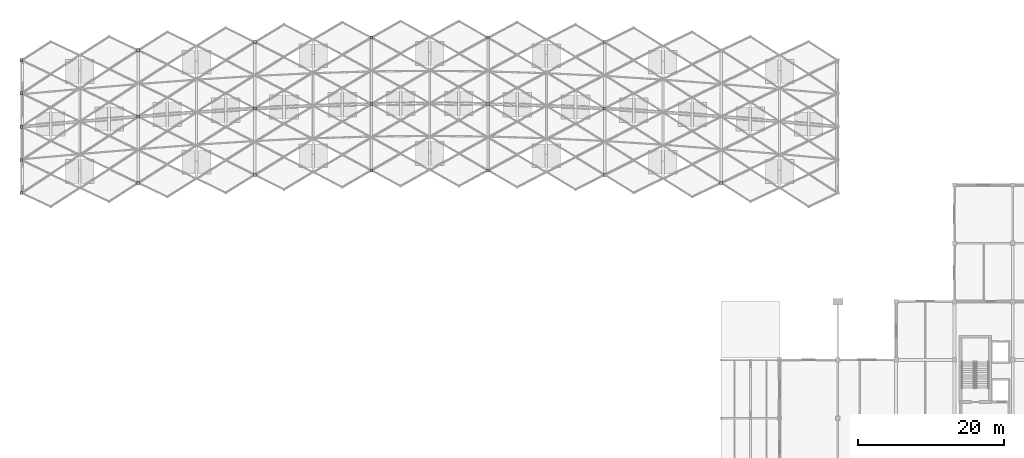
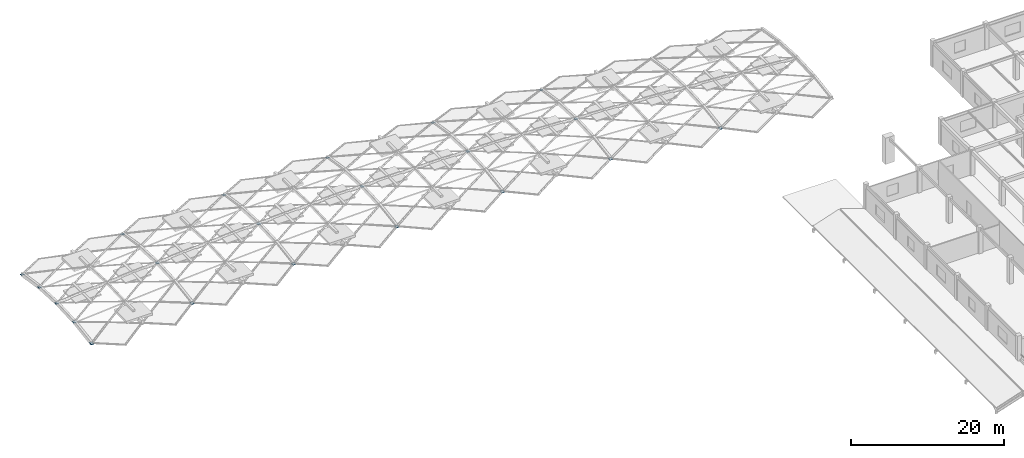
# One storey, part 14 of 27: 21 plates.
"""IFC4 building model written with IfcOpenShell, lengths in metres."""

from ifc_helpers import new_model, si_unit, direction, frame, origin, place, context, subcontext, project, spatial, polyline, outline, extrude, material, layer, layer_set, type_object, element, save


model = new_model("IFC4")

# Units and contexts
model_context = context("Model", 3, precision=1e-05, world=origin(), true_north=direction((0.0, 1.0)))
body_context = subcontext(model_context, "Body", "Model", "MODEL_VIEW")
ifc_project = project(units=[si_unit("LENGTHUNIT", "METRE"), si_unit("AREAUNIT", "SQUARE_METRE"), si_unit("VOLUMEUNIT", "CUBIC_METRE"), si_unit("PLANEANGLEUNIT", "RADIAN"), si_unit("MASSUNIT", "GRAM", prefix="KILO")], contexts=[model_context])

# Site, building, storey
site_placement = place(None, origin())
site = spatial("IfcSite", under=ifc_project, at=site_placement, CompositionType="ELEMENT")
building_placement = place(site_placement, origin())
building = spatial("IfcBuilding", under=site, at=building_placement, Name="Kenh Van Central Station", CompositionType="ELEMENT")
storey_placement = place(building_placement, frame((0.0, 0.0, 19.199951171875)))
storey = spatial("IfcBuildingStorey", under=building, at=storey_placement, Name="L04", CompositionType="ELEMENT", Elevation=19.199951171875)

# Plates
ifc_material = material(Name="White fluoropolymer structural steel S355", Category="steel")
ifc_layer = layer(ifc_material, 0.02490234375, Name="White fluoropolymer structural steel S355")
ifc_layer_set = layer_set([ifc_layer], Name="White fluoropolymer structural steel S355")
plate_type = type_object("IfcPlateType", Name="PLT-GUSSET-NP25", PredefinedType="USERDEFINED", material=ifc_layer_set)
plate_1_placement = place(storey_placement, frame((31.780029296875, 78.671630859375, 1.03662109375), z_axis=(0.0, -0.205814766977, 0.978590967511), x_axis=(1.0, 0.0, 0.0)))
element("IfcPlate", 1, at=plate_1_placement, inside=storey, type_object=plate_type, Name="Vault node gusset plate NP-25 004", ObjectType="GUSSET_PLATE", PredefinedType="USERDEFINED", context=body_context, shape_type="SweptSolid", body=[
    extrude(outline(polyline([(0.0, 0.0), (0.43994140625, 0.0), (0.43994140625, 0.440085875302234), (0.0, 0.440085875302234), (0.0, 0.0)])), origin(), (0.0, 0.0, -1.0), 0.02490234375),
])
plate_2_placement = place(storey_placement, frame((31.780029296875, 83.200927734375, 1.752685546875), z_axis=(0.0, -0.099338876332, 0.995053660688), x_axis=(1.0, 0.0, 0.0)))
element("IfcPlate", 2, at=plate_2_placement, inside=storey, type_object=plate_type, Name="Vault node gusset plate NP-25 005", ObjectType="GUSSET_PLATE", PredefinedType="USERDEFINED", context=body_context, shape_type="SweptSolid", body=[
    extrude(outline(polyline([(0.0, 0.0), (0.43994140625, 0.0), (0.43994140625, 0.43992013488219434), (0.0, 0.43992013488219434), (0.0, 0.0)])), origin(), (0.0, 0.0, -1.0), 0.02490234375),
])
plate_3_placement = place(storey_placement, frame((31.780029296875, 87.780029296875, 2.0), z_axis=(0.0, 0.0, 1.0), x_axis=(1.0, 0.0, 0.0)))
element("IfcPlate", 3, at=plate_3_placement, inside=storey, type_object=plate_type, Name="Vault node gusset plate NP-25 006", ObjectType="GUSSET_PLATE", PredefinedType="USERDEFINED", context=body_context, shape_type="SweptSolid", body=[
    extrude(outline(polyline([(0.0, 0.0), (0.43994140625, 0.0), (0.43994140625, 0.43994140625), (0.0, 0.43994140625), (0.0, 0.0)])), origin(), (0.0, 0.0, -1.0), 0.02490234375),
])
plate_4_placement = place(storey_placement, frame((31.780029296875, 92.361328125, 1.79638671875), z_axis=(0.0, 0.099338876332, 0.995053660688), x_axis=(1.0, 0.0, 0.0)))
element("IfcPlate", 4, at=plate_4_placement, inside=storey, type_object=plate_type, Name="Vault node gusset plate NP-25 007", ObjectType="GUSSET_PLATE", PredefinedType="USERDEFINED", context=body_context, shape_type="SweptSolid", body=[
    extrude(outline(polyline([(0.0, 0.0), (0.43994140625, 0.0), (0.43994140625, 0.43992013488219434), (0.0, 0.43992013488219434), (0.0, 0.0)])), origin(), (0.0, 0.0, -1.0), 0.02490234375),
])
for number, where, z_axis, x_axis, name in (
    (5, (31.780029296875, 96.897705078125, 1.127197265625), (0.0, 0.205814766977, 0.978590967511), (1.0, 0.0, 0.0), "Vault node gusset plate NP-25 008"),
    (6, (47.780029296875, 80.06005859375, 1.03662109375), (0.0, -0.205814766977, 0.978590967511), (1.0, 0.0, 0.0), "Vault node gusset plate NP-25 013"),
):
    element("IfcPlate", number, at=place(storey_placement, frame(where, z_axis=z_axis, x_axis=x_axis)), inside=storey, type_object=plate_type, Name=name, ObjectType="GUSSET_PLATE", PredefinedType="USERDEFINED", context=body_context, shape_type="SweptSolid", body=[
        extrude(outline(polyline([(0.0, 0.0), (0.43994140625, 0.0), (0.43994140625, 0.440085875302234), (0.0, 0.440085875302234), (0.0, 0.0)])), origin(), (0.0, 0.0, -1.0), 0.02490234375),
    ])
plate_5_placement = place(storey_placement, frame((47.780029296875, 89.16845703125, 2.0), z_axis=(0.0, 0.0, 1.0), x_axis=(1.0, 0.0, 0.0)))
element("IfcPlate", 7, at=plate_5_placement, inside=storey, type_object=plate_type, Name="Vault node gusset plate NP-25 014", ObjectType="GUSSET_PLATE", PredefinedType="USERDEFINED", context=body_context, shape_type="SweptSolid", body=[
    extrude(outline(polyline([(0.0, 0.0), (0.43994140625, 0.0), (0.43994140625, 0.43994140625), (0.0, 0.43994140625), (0.0, 0.0)])), origin(), (0.0, 0.0, -1.0), 0.02490234375),
])
for number, where, z_axis, x_axis, name in (
    (8, (47.780029296875, 98.2861328125, 1.127197265625), (0.0, 0.205814766977, 0.978590967511), (1.0, 0.0, 0.0), "Vault node gusset plate NP-25 015"),
    (9, (63.780029296875, 81.173583984375, 1.03662109375), (0.0, -0.205814766977, 0.978590967511), (1.0, 0.0, 0.0), "Vault node gusset plate NP-25 018"),
):
    element("IfcPlate", number, at=place(storey_placement, frame(where, z_axis=z_axis, x_axis=x_axis)), inside=storey, type_object=plate_type, Name=name, ObjectType="GUSSET_PLATE", PredefinedType="USERDEFINED", context=body_context, shape_type="SweptSolid", body=[
        extrude(outline(polyline([(0.0, 0.0), (0.43994140625, 0.0), (0.43994140625, 0.440085875302234), (0.0, 0.440085875302234), (0.0, 0.0)])), origin(), (0.0, 0.0, -1.0), 0.02490234375),
    ])
plate_6_placement = place(storey_placement, frame((63.780029296875, 90.281982421875, 2.0), z_axis=(0.0, 0.0, 1.0), x_axis=(1.0, 0.0, 0.0)))
element("IfcPlate", 10, at=plate_6_placement, inside=storey, type_object=plate_type, Name="Vault node gusset plate NP-25 019", ObjectType="GUSSET_PLATE", PredefinedType="USERDEFINED", context=body_context, shape_type="SweptSolid", body=[
    extrude(outline(polyline([(0.0, 0.0), (0.43994140625, 0.0), (0.43994140625, 0.43994140625), (0.0, 0.43994140625), (0.0, 0.0)])), origin(), (0.0, 0.0, -1.0), 0.02490234375),
])
for number, where, z_axis, x_axis, name in (
    (11, (63.780029296875, 99.399658203125, 1.127197265625), (0.0, 0.205814766977, 0.978590967511), (1.0, 0.0, 0.0), "Vault node gusset plate NP-25 020"),
    (12, (79.780029296875, 81.79150390625, 1.03662109375), (0.0, -0.205814766977, 0.978590967511), (1.0, 0.0, 0.0), "Vault node gusset plate NP-25 023"),
):
    element("IfcPlate", number, at=place(storey_placement, frame(where, z_axis=z_axis, x_axis=x_axis)), inside=storey, type_object=plate_type, Name=name, ObjectType="GUSSET_PLATE", PredefinedType="USERDEFINED", context=body_context, shape_type="SweptSolid", body=[
        extrude(outline(polyline([(0.0, 0.0), (0.43994140625, 0.0), (0.43994140625, 0.440085875302234), (0.0, 0.440085875302234), (0.0, 0.0)])), origin(), (0.0, 0.0, -1.0), 0.02490234375),
    ])
plate_7_placement = place(storey_placement, frame((79.780029296875, 90.89990234375, 2.0), z_axis=(0.0, 0.0, 1.0), x_axis=(1.0, 0.0, 0.0)))
element("IfcPlate", 13, at=plate_7_placement, inside=storey, type_object=plate_type, Name="Vault node gusset plate NP-25 024", ObjectType="GUSSET_PLATE", PredefinedType="USERDEFINED", context=body_context, shape_type="SweptSolid", body=[
    extrude(outline(polyline([(0.0, 0.0), (0.43994140625, 0.0), (0.43994140625, 0.43994140625), (0.0, 0.43994140625), (0.0, 0.0)])), origin(), (0.0, 0.0, -1.0), 0.02490234375),
])
for number, where, z_axis, x_axis, name in (
    (14, (79.780029296875, 100.017578125, 1.127197265625), (0.0, 0.205814766977, 0.978590967511), (1.0, 0.0, 0.0), "Vault node gusset plate NP-25 025"),
    (15, (95.780029296875, 81.79150390625, 1.03662109375), (0.0, -0.205814766977, 0.978590967511), (1.0, 0.0, 0.0), "Vault node gusset plate NP-25 028"),
):
    element("IfcPlate", number, at=place(storey_placement, frame(where, z_axis=z_axis, x_axis=x_axis)), inside=storey, type_object=plate_type, Name=name, ObjectType="GUSSET_PLATE", PredefinedType="USERDEFINED", context=body_context, shape_type="SweptSolid", body=[
        extrude(outline(polyline([(0.0, 0.0), (0.43994140625, 0.0), (0.43994140625, 0.440085875302234), (0.0, 0.440085875302234), (0.0, 0.0)])), origin(), (0.0, 0.0, -1.0), 0.02490234375),
    ])
plate_8_placement = place(storey_placement, frame((95.780029296875, 90.89990234375, 2.0), z_axis=(0.0, 0.0, 1.0), x_axis=(1.0, 0.0, 0.0)))
element("IfcPlate", 16, at=plate_8_placement, inside=storey, type_object=plate_type, Name="Vault node gusset plate NP-25 029", ObjectType="GUSSET_PLATE", PredefinedType="USERDEFINED", context=body_context, shape_type="SweptSolid", body=[
    extrude(outline(polyline([(0.0, 0.0), (0.43994140625, 0.0), (0.43994140625, 0.43994140625), (0.0, 0.43994140625), (0.0, 0.0)])), origin(), (0.0, 0.0, -1.0), 0.02490234375),
])
for number, where, z_axis, x_axis, name in (
    (17, (95.780029296875, 100.017578125, 1.127197265625), (0.0, 0.205814766977, 0.978590967511), (1.0, 0.0, 0.0), "Vault node gusset plate NP-25 030"),
    (18, (111.780029296875, 81.173583984375, 1.03662109375), (0.0, -0.205814766977, 0.978590967511), (1.0, 0.0, 0.0), "Vault node gusset plate NP-25 033"),
):
    element("IfcPlate", number, at=place(storey_placement, frame(where, z_axis=z_axis, x_axis=x_axis)), inside=storey, type_object=plate_type, Name=name, ObjectType="GUSSET_PLATE", PredefinedType="USERDEFINED", context=body_context, shape_type="SweptSolid", body=[
        extrude(outline(polyline([(0.0, 0.0), (0.43994140625, 0.0), (0.43994140625, 0.440085875302234), (0.0, 0.440085875302234), (0.0, 0.0)])), origin(), (0.0, 0.0, -1.0), 0.02490234375),
    ])
plate_9_placement = place(storey_placement, frame((111.780029296875, 90.281982421875, 2.0), z_axis=(0.0, 0.0, 1.0), x_axis=(1.0, 0.0, 0.0)))
element("IfcPlate", 19, at=plate_9_placement, inside=storey, type_object=plate_type, Name="Vault node gusset plate NP-25 034", ObjectType="GUSSET_PLATE", PredefinedType="USERDEFINED", context=body_context, shape_type="SweptSolid", body=[
    extrude(outline(polyline([(0.0, 0.0), (0.43994140625, 0.0), (0.43994140625, 0.43994140625), (0.0, 0.43994140625), (0.0, 0.0)])), origin(), (0.0, 0.0, -1.0), 0.02490234375),
])
for number, where, z_axis, x_axis, name in (
    (20, (111.780029296875, 99.399658203125, 1.127197265625), (0.0, 0.205814766977, 0.978590967511), (1.0, 0.0, 0.0), "Vault node gusset plate NP-25 035"),
    (21, (127.780029296875, 80.06005859375, 1.03662109375), (0.0, -0.205814766977, 0.978590967511), (1.0, 0.0, 0.0), "Vault node gusset plate NP-25 038"),
):
    element("IfcPlate", number, at=place(storey_placement, frame(where, z_axis=z_axis, x_axis=x_axis)), inside=storey, type_object=plate_type, Name=name, ObjectType="GUSSET_PLATE", PredefinedType="USERDEFINED", context=body_context, shape_type="SweptSolid", body=[
        extrude(outline(polyline([(0.0, 0.0), (0.43994140625, 0.0), (0.43994140625, 0.440085875302234), (0.0, 0.440085875302234), (0.0, 0.0)])), origin(), (0.0, 0.0, -1.0), 0.02490234375),
    ])

save(model, "model.ifc")
